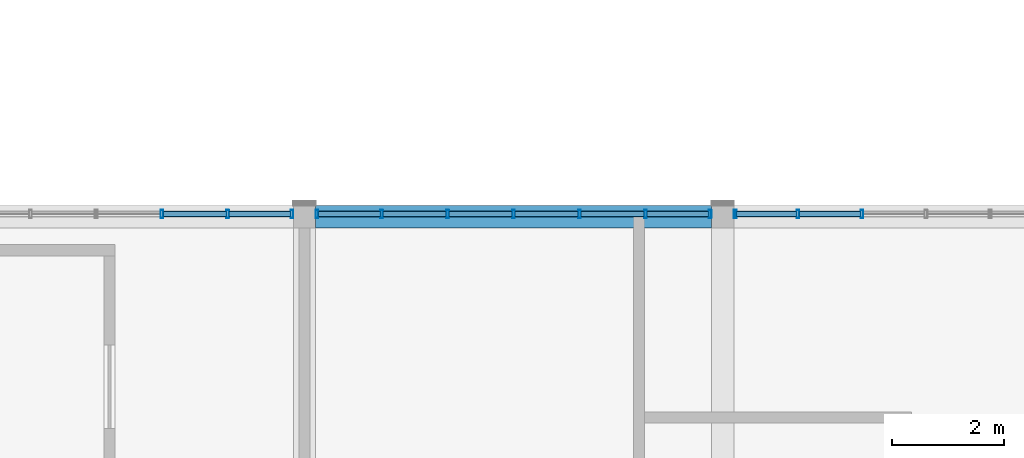
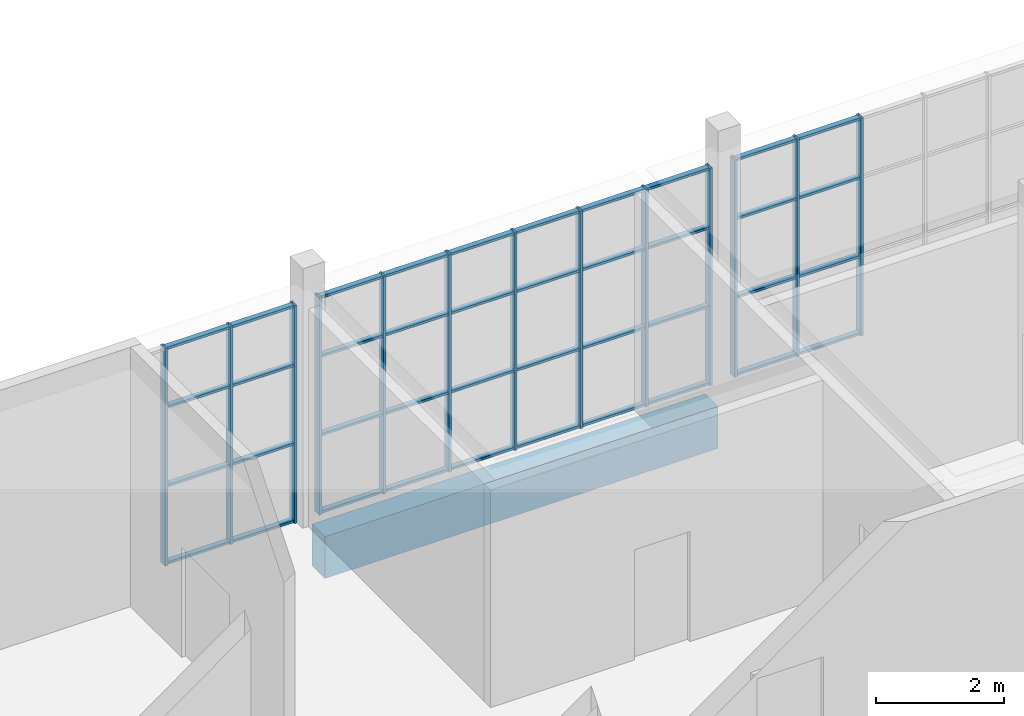
# One storey, part 26 of 125: 53 members, 1 beam, 3 elements without a shape of their own.
"""IFC4 building model written with IfcOpenShell, lengths in metres."""

from ifc_helpers import new_model, si_unit, direction, frame, origin, origin_2d, place, context, subcontext, project, spatial, rectangle, hollow_rectangle, extrude, material, material_profile, profile_set, type_object, element, aggregate, save


model = new_model("IFC4")

# Units and contexts
model_context = context("Model", 3, precision=1e-05, world=origin(), true_north=direction((0.0, 1.0)))
body_context = subcontext(model_context, "Body", "Model", "MODEL_VIEW")
ifc_project = project(units=[si_unit("LENGTHUNIT", "METRE"), si_unit("AREAUNIT", "SQUARE_METRE"), si_unit("VOLUMEUNIT", "CUBIC_METRE"), si_unit("PLANEANGLEUNIT", "RADIAN"), si_unit("MASSUNIT", "GRAM", prefix="KILO")], contexts=[model_context])

# Site, building, storey
site_placement = place(None, origin())
site = spatial("IfcSite", under=ifc_project, at=site_placement, CompositionType="ELEMENT")
building_placement = place(site_placement, origin())
building = spatial("IfcBuilding", under=site, at=building_placement, Name="Sun Court Science Centre", CompositionType="ELEMENT")
storey_placement = place(building_placement, frame((0.0, 0.0, 6.0)))
storey = spatial("IfcBuildingStorey", under=building, at=storey_placement, Name="L01", CompositionType="ELEMENT", Elevation=6.0)

# Curtain wall, members
ifc_material_1 = material(Name="Aluminium EN AW-6063 T6", Category="aluminium")
curtain_wall_type = type_object("IfcCurtainWallType", Name="Pavilion curtain wall 1200", PredefinedType="NOTDEFINED", material=ifc_material_1)
curtain_wall_1_placement = place(storey_placement, origin())
curtain_wall_1 = element("IfcCurtainWall", 1, at=curtain_wall_1_placement, inside=storey, type_object=curtain_wall_type, Name="Curtain wall V5 N L01 01", PredefinedType="NOTDEFINED")
ifc_material_2 = material(Name="Aluminium EN AW-6063 T6", Category="aluminium")
ifc_material_profile_1 = material_profile(ifc_material_2, hollow_rectangle(XDim=0.050048828125, YDim=0.14990234375, WallThickness=0.00390625, InnerFilletRadius=0.00390625, OuterFilletRadius=0.006103515625, at=origin_2d()), Name="AL 50x150x4")
ifc_profile_set_1 = profile_set([ifc_material_profile_1], Name="Aluminium EN AW-6063 T6")
member_type_1 = type_object("IfcMemberType", Name="Curtain wall mullion AL 50x150", PredefinedType="MULLION", material=ifc_profile_set_1)
member_1_placement = place(storey_placement, frame((48.44287109375, 49.85009765625, 0.0), z_axis=(0.0, 0.0, 1.0), x_axis=(1.0, 0.0, 0.0)))
member_1 = element("IfcMember", 2, at=member_1_placement, type_object=member_type_1, Name="CW3-14 mullion 6", PredefinedType="MULLION", context=body_context, shape_type="SweptSolid", body=[
    extrude(hollow_rectangle(XDim=0.050048828125, YDim=0.14990234375, WallThickness=0.00390625, InnerFilletRadius=0.00390625, OuterFilletRadius=0.006103515625, at=origin_2d()), origin(), (0.0, 0.0, 1.0), 4.14990234375),
])
member_2_placement = place(storey_placement, frame((49.621337890625, 49.85009765625, 0.0), z_axis=(0.0, 0.0, 1.0), x_axis=(1.0, 0.0, 0.0)))
member_2 = element("IfcMember", 3, at=member_2_placement, type_object=member_type_1, Name="CW3-14 mullion 7", PredefinedType="MULLION", context=body_context, shape_type="SweptSolid", body=[
    extrude(hollow_rectangle(XDim=0.050048828125, YDim=0.14990234375, WallThickness=0.00390625, InnerFilletRadius=0.00390625, OuterFilletRadius=0.006103515625, at=origin_2d()), origin(), (0.0, 0.0, 1.0), 4.14990234375),
])
member_3_placement = place(storey_placement, frame((50.77490234375, 49.85009765625, 0.0), z_axis=(0.0, 0.0, 1.0), x_axis=(1.0, 0.0, 0.0)))
member_3 = element("IfcMember", 4, at=member_3_placement, type_object=member_type_1, Name="CW3-14 mullion 8", PredefinedType="MULLION", context=body_context, shape_type="SweptSolid", body=[
    extrude(hollow_rectangle(XDim=0.050048828125, YDim=0.14990234375, WallThickness=0.00390625, InnerFilletRadius=0.00390625, OuterFilletRadius=0.006103515625, at=origin_2d()), origin(), (0.0, 0.0, 1.0), 4.14990234375),
])

curtain_wall_2_placement = place(storey_placement, origin())
curtain_wall_2 = element("IfcCurtainWall", 5, at=curtain_wall_2_placement, inside=storey, type_object=curtain_wall_type, Name="Curtain wall V5 N L01 02", PredefinedType="NOTDEFINED")
member_4_placement = place(storey_placement, frame((51.22509765625, 49.85009765625, 0.0), z_axis=(0.0, 0.0, 1.0), x_axis=(1.0, 0.0, 0.0)))
member_4 = element("IfcMember", 6, at=member_4_placement, type_object=member_type_1, Name="CW3-15 mullion 1", PredefinedType="MULLION", context=body_context, shape_type="SweptSolid", body=[
    extrude(hollow_rectangle(XDim=0.050048828125, YDim=0.14990234375, WallThickness=0.00390625, InnerFilletRadius=0.00390625, OuterFilletRadius=0.006103515625, at=origin_2d()), origin(), (0.0, 0.0, 1.0), 4.14990234375),
])
member_5_placement = place(storey_placement, frame((52.38330078125, 49.85009765625, 0.0), z_axis=(0.0, 0.0, 1.0), x_axis=(1.0, 0.0, 0.0)))
member_5 = element("IfcMember", 7, at=member_5_placement, type_object=member_type_1, Name="CW3-15 mullion 2", PredefinedType="MULLION", context=body_context, shape_type="SweptSolid", body=[
    extrude(hollow_rectangle(XDim=0.050048828125, YDim=0.14990234375, WallThickness=0.00390625, InnerFilletRadius=0.00390625, OuterFilletRadius=0.006103515625, at=origin_2d()), origin(), (0.0, 0.0, 1.0), 4.14990234375),
])
member_6_placement = place(storey_placement, frame((53.566650390625, 49.85009765625, 0.0), z_axis=(0.0, 0.0, 1.0), x_axis=(1.0, 0.0, 0.0)))
member_6 = element("IfcMember", 8, at=member_6_placement, type_object=member_type_1, Name="CW3-15 mullion 3", PredefinedType="MULLION", context=body_context, shape_type="SweptSolid", body=[
    extrude(hollow_rectangle(XDim=0.050048828125, YDim=0.14990234375, WallThickness=0.00390625, InnerFilletRadius=0.00390625, OuterFilletRadius=0.006103515625, at=origin_2d()), origin(), (0.0, 0.0, 1.0), 4.14990234375),
])
member_7_placement = place(storey_placement, frame((54.75, 49.85009765625, 0.0), z_axis=(0.0, 0.0, 1.0), x_axis=(1.0, 0.0, 0.0)))
member_7 = element("IfcMember", 9, at=member_7_placement, type_object=member_type_1, Name="CW3-15 mullion 4", PredefinedType="MULLION", context=body_context, shape_type="SweptSolid", body=[
    extrude(hollow_rectangle(XDim=0.050048828125, YDim=0.14990234375, WallThickness=0.00390625, InnerFilletRadius=0.00390625, OuterFilletRadius=0.006103515625, at=origin_2d()), origin(), (0.0, 0.0, 1.0), 4.14990234375),
])
member_8_placement = place(storey_placement, frame((55.933349609375, 49.85009765625, 0.0), z_axis=(0.0, 0.0, 1.0), x_axis=(1.0, 0.0, 0.0)))
member_8 = element("IfcMember", 10, at=member_8_placement, type_object=member_type_1, Name="CW3-15 mullion 5", PredefinedType="MULLION", context=body_context, shape_type="SweptSolid", body=[
    extrude(hollow_rectangle(XDim=0.050048828125, YDim=0.14990234375, WallThickness=0.00390625, InnerFilletRadius=0.00390625, OuterFilletRadius=0.006103515625, at=origin_2d()), origin(), (0.0, 0.0, 1.0), 4.14990234375),
])
member_9_placement = place(storey_placement, frame((57.11669921875, 49.85009765625, 0.0), z_axis=(0.0, 0.0, 1.0), x_axis=(1.0, 0.0, 0.0)))
member_9 = element("IfcMember", 11, at=member_9_placement, type_object=member_type_1, Name="CW3-15 mullion 6", PredefinedType="MULLION", context=body_context, shape_type="SweptSolid", body=[
    extrude(hollow_rectangle(XDim=0.050048828125, YDim=0.14990234375, WallThickness=0.00390625, InnerFilletRadius=0.00390625, OuterFilletRadius=0.006103515625, at=origin_2d()), origin(), (0.0, 0.0, 1.0), 4.14990234375),
])
member_10_placement = place(storey_placement, frame((58.27490234375, 49.85009765625, 0.0), z_axis=(0.0, 0.0, 1.0), x_axis=(1.0, 0.0, 0.0)))
member_10 = element("IfcMember", 12, at=member_10_placement, type_object=member_type_1, Name="CW3-15 mullion 7", PredefinedType="MULLION", context=body_context, shape_type="SweptSolid", body=[
    extrude(hollow_rectangle(XDim=0.050048828125, YDim=0.14990234375, WallThickness=0.00390625, InnerFilletRadius=0.00390625, OuterFilletRadius=0.006103515625, at=origin_2d()), origin(), (0.0, 0.0, 1.0), 4.14990234375),
])

curtain_wall_3_placement = place(storey_placement, origin())
curtain_wall_3 = element("IfcCurtainWall", 13, at=curtain_wall_3_placement, inside=storey, type_object=curtain_wall_type, Name="Curtain wall V5 N L01 03", PredefinedType="NOTDEFINED")
member_11_placement = place(storey_placement, frame((58.72509765625, 49.85009765625, 0.0), z_axis=(0.0, 0.0, 1.0), x_axis=(1.0, 0.0, 0.0)))
member_11 = element("IfcMember", 14, at=member_11_placement, type_object=member_type_1, Name="CW3-16 mullion 1", PredefinedType="MULLION", context=body_context, shape_type="SweptSolid", body=[
    extrude(hollow_rectangle(XDim=0.050048828125, YDim=0.14990234375, WallThickness=0.00390625, InnerFilletRadius=0.00390625, OuterFilletRadius=0.006103515625, at=origin_2d()), origin(), (0.0, 0.0, 1.0), 4.14990234375),
])
member_12_placement = place(storey_placement, frame((59.85009765625, 49.85009765625, 0.0), z_axis=(0.0, 0.0, 1.0), x_axis=(1.0, 0.0, 0.0)))
member_12 = element("IfcMember", 15, at=member_12_placement, type_object=member_type_1, Name="CW3-16 mullion 2", PredefinedType="MULLION", context=body_context, shape_type="SweptSolid", body=[
    extrude(hollow_rectangle(XDim=0.050048828125, YDim=0.14990234375, WallThickness=0.00390625, InnerFilletRadius=0.00390625, OuterFilletRadius=0.006103515625, at=origin_2d()), origin(), (0.0, 0.0, 1.0), 4.14990234375),
])
member_13_placement = place(storey_placement, frame((61.0, 49.85009765625, 0.0), z_axis=(0.0, 0.0, 1.0), x_axis=(1.0, 0.0, 0.0)))
member_13 = element("IfcMember", 16, at=member_13_placement, type_object=member_type_1, Name="CW3-16 mullion 3", PredefinedType="MULLION", context=body_context, shape_type="SweptSolid", body=[
    extrude(hollow_rectangle(XDim=0.050048828125, YDim=0.14990234375, WallThickness=0.00390625, InnerFilletRadius=0.00390625, OuterFilletRadius=0.006103515625, at=origin_2d()), origin(), (0.0, 0.0, 1.0), 4.14990234375),
])

# Member
ifc_material_3 = material(Name="Aluminium EN AW-6063 T6", Category="aluminium")
ifc_material_profile_2 = material_profile(ifc_material_3, hollow_rectangle(XDim=0.050048828125, YDim=0.10009765625, WallThickness=0.00390625, InnerFilletRadius=0.00390625, OuterFilletRadius=0.006103515625, at=origin_2d()), Name="AL 50x100x4")
ifc_profile_set_2 = profile_set([ifc_material_profile_2], Name="Aluminium EN AW-6063 T6")
member_type_2 = type_object("IfcMemberType", Name="Curtain wall transom AL 50x100", PredefinedType="USERDEFINED", material=ifc_profile_set_2)
member_14_placement = place(storey_placement, frame((48.4677734375, 49.85009765625, 0.02490234375), z_axis=(1.0, 0.0, 0.0), x_axis=(0.0, 0.0, 1.0)))
member_14 = element("IfcMember", 17, at=member_14_placement, type_object=member_type_2, Name="CW3-14 transom 6.1", ObjectType="TRANSOM", PredefinedType="USERDEFINED", context=body_context, shape_type="SweptSolid", body=[
    extrude(hollow_rectangle(XDim=0.050048828125, YDim=0.10009765625, WallThickness=0.00390625, InnerFilletRadius=0.00390625, OuterFilletRadius=0.006103515625, at=origin_2d()), origin(), (0.0, 0.0, 1.0), 1.128662109375),
])

member_15_placement = place(storey_placement, frame((49.646484375, 49.85009765625, 0.02490234375), z_axis=(1.0, 0.0, 0.0), x_axis=(0.0, 0.0, 1.0)))
member_15 = element("IfcMember", 18, at=member_15_placement, type_object=member_type_2, Name="CW3-14 transom 7.1", ObjectType="TRANSOM", PredefinedType="USERDEFINED", context=body_context, shape_type="SweptSolid", body=[
    extrude(hollow_rectangle(XDim=0.050048828125, YDim=0.10009765625, WallThickness=0.00390625, InnerFilletRadius=0.00390625, OuterFilletRadius=0.006103515625, at=origin_2d()), origin(), (0.0, 0.0, 1.0), 1.103515625),
])

member_16_placement = place(storey_placement, frame((48.4677734375, 49.85009765625, 1.5), z_axis=(1.0, 0.0, 0.0), x_axis=(0.0, 0.0, 1.0)))
member_16 = element("IfcMember", 19, at=member_16_placement, type_object=member_type_2, Name="CW3-14 transom 6.2", ObjectType="TRANSOM", PredefinedType="USERDEFINED", context=body_context, shape_type="SweptSolid", body=[
    extrude(hollow_rectangle(XDim=0.050048828125, YDim=0.10009765625, WallThickness=0.00390625, InnerFilletRadius=0.00390625, OuterFilletRadius=0.006103515625, at=origin_2d()), origin(), (0.0, 0.0, 1.0), 1.128662109375),
])

member_17_placement = place(storey_placement, frame((49.646484375, 49.85009765625, 1.5), z_axis=(1.0, 0.0, 0.0), x_axis=(0.0, 0.0, 1.0)))
member_17 = element("IfcMember", 20, at=member_17_placement, type_object=member_type_2, Name="CW3-14 transom 7.2", ObjectType="TRANSOM", PredefinedType="USERDEFINED", context=body_context, shape_type="SweptSolid", body=[
    extrude(hollow_rectangle(XDim=0.050048828125, YDim=0.10009765625, WallThickness=0.00390625, InnerFilletRadius=0.00390625, OuterFilletRadius=0.006103515625, at=origin_2d()), origin(), (0.0, 0.0, 1.0), 1.103515625),
])

member_18_placement = place(storey_placement, frame((48.4677734375, 49.85009765625, 3.0), z_axis=(1.0, 0.0, 0.0), x_axis=(0.0, 0.0, 1.0)))
member_18 = element("IfcMember", 21, at=member_18_placement, type_object=member_type_2, Name="CW3-14 transom 6.3", ObjectType="TRANSOM", PredefinedType="USERDEFINED", context=body_context, shape_type="SweptSolid", body=[
    extrude(hollow_rectangle(XDim=0.050048828125, YDim=0.10009765625, WallThickness=0.00390625, InnerFilletRadius=0.00390625, OuterFilletRadius=0.006103515625, at=origin_2d()), origin(), (0.0, 0.0, 1.0), 1.128662109375),
])

member_19_placement = place(storey_placement, frame((49.646484375, 49.85009765625, 3.0), z_axis=(1.0, 0.0, 0.0), x_axis=(0.0, 0.0, 1.0)))
member_19 = element("IfcMember", 22, at=member_19_placement, type_object=member_type_2, Name="CW3-14 transom 7.3", ObjectType="TRANSOM", PredefinedType="USERDEFINED", context=body_context, shape_type="SweptSolid", body=[
    extrude(hollow_rectangle(XDim=0.050048828125, YDim=0.10009765625, WallThickness=0.00390625, InnerFilletRadius=0.00390625, OuterFilletRadius=0.006103515625, at=origin_2d()), origin(), (0.0, 0.0, 1.0), 1.103515625),
])

member_20_placement = place(storey_placement, frame((48.4677734375, 49.85009765625, 4.125), z_axis=(1.0, 0.0, 0.0), x_axis=(0.0, 0.0, 1.0)))
member_20 = element("IfcMember", 23, at=member_20_placement, type_object=member_type_2, Name="CW3-14 transom 6.4", ObjectType="TRANSOM", PredefinedType="USERDEFINED", context=body_context, shape_type="SweptSolid", body=[
    extrude(hollow_rectangle(XDim=0.050048828125, YDim=0.10009765625, WallThickness=0.00390625, InnerFilletRadius=0.00390625, OuterFilletRadius=0.006103515625, at=origin_2d()), origin(), (0.0, 0.0, 1.0), 1.128662109375),
])

member_21_placement = place(storey_placement, frame((49.646484375, 49.85009765625, 4.125), z_axis=(1.0, 0.0, 0.0), x_axis=(0.0, 0.0, 1.0)))
member_21 = element("IfcMember", 24, at=member_21_placement, type_object=member_type_2, Name="CW3-14 transom 7.4", ObjectType="TRANSOM", PredefinedType="USERDEFINED", context=body_context, shape_type="SweptSolid", body=[
    extrude(hollow_rectangle(XDim=0.050048828125, YDim=0.10009765625, WallThickness=0.00390625, InnerFilletRadius=0.00390625, OuterFilletRadius=0.006103515625, at=origin_2d()), origin(), (0.0, 0.0, 1.0), 1.103515625),
])

aggregate(curtain_wall_1, [member_1, member_2, member_3, member_14, member_15, member_16, member_17, member_18, member_19, member_20, member_21])

member_22_placement = place(storey_placement, frame((51.25, 49.85009765625, 0.02490234375), z_axis=(1.0, 0.0, 0.0), x_axis=(0.0, 0.0, 1.0)))
member_22 = element("IfcMember", 25, at=member_22_placement, type_object=member_type_2, Name="CW3-15 transom 1.1", ObjectType="TRANSOM", PredefinedType="USERDEFINED", context=body_context, shape_type="SweptSolid", body=[
    extrude(hollow_rectangle(XDim=0.050048828125, YDim=0.10009765625, WallThickness=0.00390625, InnerFilletRadius=0.00390625, OuterFilletRadius=0.006103515625, at=origin_2d()), origin(), (0.0, 0.0, 1.0), 1.1083984375),
])

member_23_placement = place(storey_placement, frame((52.408447265625, 49.85009765625, 0.02490234375), z_axis=(1.0, 0.0, 0.0), x_axis=(0.0, 0.0, 1.0)))
member_23 = element("IfcMember", 26, at=member_23_placement, type_object=member_type_2, Name="CW3-15 transom 2.1", ObjectType="TRANSOM", PredefinedType="USERDEFINED", context=body_context, shape_type="SweptSolid", body=[
    extrude(hollow_rectangle(XDim=0.050048828125, YDim=0.10009765625, WallThickness=0.00390625, InnerFilletRadius=0.00390625, OuterFilletRadius=0.006103515625, at=origin_2d()), origin(), (0.0, 0.0, 1.0), 1.13330078125),
])

member_24_placement = place(storey_placement, frame((53.591552734375, 49.85009765625, 0.02490234375), z_axis=(1.0, 0.0, 0.0), x_axis=(0.0, 0.0, 1.0)))
member_24 = element("IfcMember", 27, at=member_24_placement, type_object=member_type_2, Name="CW3-15 transom 3.1", ObjectType="TRANSOM", PredefinedType="USERDEFINED", context=body_context, shape_type="SweptSolid", body=[
    extrude(hollow_rectangle(XDim=0.050048828125, YDim=0.10009765625, WallThickness=0.00390625, InnerFilletRadius=0.00390625, OuterFilletRadius=0.006103515625, at=origin_2d()), origin(), (0.0, 0.0, 1.0), 1.133544921875),
])

member_25_placement = place(storey_placement, frame((54.77490234375, 49.85009765625, 0.02490234375), z_axis=(1.0, 0.0, 0.0), x_axis=(0.0, 0.0, 1.0)))
member_25 = element("IfcMember", 28, at=member_25_placement, type_object=member_type_2, Name="CW3-15 transom 4.1", ObjectType="TRANSOM", PredefinedType="USERDEFINED", context=body_context, shape_type="SweptSolid", body=[
    extrude(hollow_rectangle(XDim=0.050048828125, YDim=0.10009765625, WallThickness=0.00390625, InnerFilletRadius=0.00390625, OuterFilletRadius=0.006103515625, at=origin_2d()), origin(), (0.0, 0.0, 1.0), 1.133544921875),
])

member_26_placement = place(storey_placement, frame((55.958251953125, 49.85009765625, 0.02490234375), z_axis=(1.0, 0.0, 0.0), x_axis=(0.0, 0.0, 1.0)))
member_26 = element("IfcMember", 29, at=member_26_placement, type_object=member_type_2, Name="CW3-15 transom 5.1", ObjectType="TRANSOM", PredefinedType="USERDEFINED", context=body_context, shape_type="SweptSolid", body=[
    extrude(hollow_rectangle(XDim=0.050048828125, YDim=0.10009765625, WallThickness=0.00390625, InnerFilletRadius=0.00390625, OuterFilletRadius=0.006103515625, at=origin_2d()), origin(), (0.0, 0.0, 1.0), 1.13330078125),
])

member_27_placement = place(storey_placement, frame((57.1416015625, 49.85009765625, 0.02490234375), z_axis=(1.0, 0.0, 0.0), x_axis=(0.0, 0.0, 1.0)))
member_27 = element("IfcMember", 30, at=member_27_placement, type_object=member_type_2, Name="CW3-15 transom 6.1", ObjectType="TRANSOM", PredefinedType="USERDEFINED", context=body_context, shape_type="SweptSolid", body=[
    extrude(hollow_rectangle(XDim=0.050048828125, YDim=0.10009765625, WallThickness=0.00390625, InnerFilletRadius=0.00390625, OuterFilletRadius=0.006103515625, at=origin_2d()), origin(), (0.0, 0.0, 1.0), 1.1083984375),
])

member_28_placement = place(storey_placement, frame((51.25, 49.85009765625, 1.5), z_axis=(1.0, 0.0, 0.0), x_axis=(0.0, 0.0, 1.0)))
member_28 = element("IfcMember", 31, at=member_28_placement, type_object=member_type_2, Name="CW3-15 transom 1.2", ObjectType="TRANSOM", PredefinedType="USERDEFINED", context=body_context, shape_type="SweptSolid", body=[
    extrude(hollow_rectangle(XDim=0.050048828125, YDim=0.10009765625, WallThickness=0.00390625, InnerFilletRadius=0.00390625, OuterFilletRadius=0.006103515625, at=origin_2d()), origin(), (0.0, 0.0, 1.0), 1.1083984375),
])

member_29_placement = place(storey_placement, frame((52.408447265625, 49.85009765625, 1.5), z_axis=(1.0, 0.0, 0.0), x_axis=(0.0, 0.0, 1.0)))
member_29 = element("IfcMember", 32, at=member_29_placement, type_object=member_type_2, Name="CW3-15 transom 2.2", ObjectType="TRANSOM", PredefinedType="USERDEFINED", context=body_context, shape_type="SweptSolid", body=[
    extrude(hollow_rectangle(XDim=0.050048828125, YDim=0.10009765625, WallThickness=0.00390625, InnerFilletRadius=0.00390625, OuterFilletRadius=0.006103515625, at=origin_2d()), origin(), (0.0, 0.0, 1.0), 1.13330078125),
])

member_30_placement = place(storey_placement, frame((53.591552734375, 49.85009765625, 1.5), z_axis=(1.0, 0.0, 0.0), x_axis=(0.0, 0.0, 1.0)))
member_30 = element("IfcMember", 33, at=member_30_placement, type_object=member_type_2, Name="CW3-15 transom 3.2", ObjectType="TRANSOM", PredefinedType="USERDEFINED", context=body_context, shape_type="SweptSolid", body=[
    extrude(hollow_rectangle(XDim=0.050048828125, YDim=0.10009765625, WallThickness=0.00390625, InnerFilletRadius=0.00390625, OuterFilletRadius=0.006103515625, at=origin_2d()), origin(), (0.0, 0.0, 1.0), 1.133544921875),
])

member_31_placement = place(storey_placement, frame((54.77490234375, 49.85009765625, 1.5), z_axis=(1.0, 0.0, 0.0), x_axis=(0.0, 0.0, 1.0)))
member_31 = element("IfcMember", 34, at=member_31_placement, type_object=member_type_2, Name="CW3-15 transom 4.2", ObjectType="TRANSOM", PredefinedType="USERDEFINED", context=body_context, shape_type="SweptSolid", body=[
    extrude(hollow_rectangle(XDim=0.050048828125, YDim=0.10009765625, WallThickness=0.00390625, InnerFilletRadius=0.00390625, OuterFilletRadius=0.006103515625, at=origin_2d()), origin(), (0.0, 0.0, 1.0), 1.133544921875),
])

member_32_placement = place(storey_placement, frame((55.958251953125, 49.85009765625, 1.5), z_axis=(1.0, 0.0, 0.0), x_axis=(0.0, 0.0, 1.0)))
member_32 = element("IfcMember", 35, at=member_32_placement, type_object=member_type_2, Name="CW3-15 transom 5.2", ObjectType="TRANSOM", PredefinedType="USERDEFINED", context=body_context, shape_type="SweptSolid", body=[
    extrude(hollow_rectangle(XDim=0.050048828125, YDim=0.10009765625, WallThickness=0.00390625, InnerFilletRadius=0.00390625, OuterFilletRadius=0.006103515625, at=origin_2d()), origin(), (0.0, 0.0, 1.0), 1.13330078125),
])

member_33_placement = place(storey_placement, frame((57.1416015625, 49.85009765625, 1.5), z_axis=(1.0, 0.0, 0.0), x_axis=(0.0, 0.0, 1.0)))
member_33 = element("IfcMember", 36, at=member_33_placement, type_object=member_type_2, Name="CW3-15 transom 6.2", ObjectType="TRANSOM", PredefinedType="USERDEFINED", context=body_context, shape_type="SweptSolid", body=[
    extrude(hollow_rectangle(XDim=0.050048828125, YDim=0.10009765625, WallThickness=0.00390625, InnerFilletRadius=0.00390625, OuterFilletRadius=0.006103515625, at=origin_2d()), origin(), (0.0, 0.0, 1.0), 1.1083984375),
])

member_34_placement = place(storey_placement, frame((51.25, 49.85009765625, 3.0), z_axis=(1.0, 0.0, 0.0), x_axis=(0.0, 0.0, 1.0)))
member_34 = element("IfcMember", 37, at=member_34_placement, type_object=member_type_2, Name="CW3-15 transom 1.3", ObjectType="TRANSOM", PredefinedType="USERDEFINED", context=body_context, shape_type="SweptSolid", body=[
    extrude(hollow_rectangle(XDim=0.050048828125, YDim=0.10009765625, WallThickness=0.00390625, InnerFilletRadius=0.00390625, OuterFilletRadius=0.006103515625, at=origin_2d()), origin(), (0.0, 0.0, 1.0), 1.1083984375),
])

member_35_placement = place(storey_placement, frame((52.408447265625, 49.85009765625, 3.0), z_axis=(1.0, 0.0, 0.0), x_axis=(0.0, 0.0, 1.0)))
member_35 = element("IfcMember", 38, at=member_35_placement, type_object=member_type_2, Name="CW3-15 transom 2.3", ObjectType="TRANSOM", PredefinedType="USERDEFINED", context=body_context, shape_type="SweptSolid", body=[
    extrude(hollow_rectangle(XDim=0.050048828125, YDim=0.10009765625, WallThickness=0.00390625, InnerFilletRadius=0.00390625, OuterFilletRadius=0.006103515625, at=origin_2d()), origin(), (0.0, 0.0, 1.0), 1.13330078125),
])

member_36_placement = place(storey_placement, frame((53.591552734375, 49.85009765625, 3.0), z_axis=(1.0, 0.0, 0.0), x_axis=(0.0, 0.0, 1.0)))
member_36 = element("IfcMember", 39, at=member_36_placement, type_object=member_type_2, Name="CW3-15 transom 3.3", ObjectType="TRANSOM", PredefinedType="USERDEFINED", context=body_context, shape_type="SweptSolid", body=[
    extrude(hollow_rectangle(XDim=0.050048828125, YDim=0.10009765625, WallThickness=0.00390625, InnerFilletRadius=0.00390625, OuterFilletRadius=0.006103515625, at=origin_2d()), origin(), (0.0, 0.0, 1.0), 1.133544921875),
])

member_37_placement = place(storey_placement, frame((54.77490234375, 49.85009765625, 3.0), z_axis=(1.0, 0.0, 0.0), x_axis=(0.0, 0.0, 1.0)))
member_37 = element("IfcMember", 40, at=member_37_placement, type_object=member_type_2, Name="CW3-15 transom 4.3", ObjectType="TRANSOM", PredefinedType="USERDEFINED", context=body_context, shape_type="SweptSolid", body=[
    extrude(hollow_rectangle(XDim=0.050048828125, YDim=0.10009765625, WallThickness=0.00390625, InnerFilletRadius=0.00390625, OuterFilletRadius=0.006103515625, at=origin_2d()), origin(), (0.0, 0.0, 1.0), 1.133544921875),
])

member_38_placement = place(storey_placement, frame((55.958251953125, 49.85009765625, 3.0), z_axis=(1.0, 0.0, 0.0), x_axis=(0.0, 0.0, 1.0)))
member_38 = element("IfcMember", 41, at=member_38_placement, type_object=member_type_2, Name="CW3-15 transom 5.3", ObjectType="TRANSOM", PredefinedType="USERDEFINED", context=body_context, shape_type="SweptSolid", body=[
    extrude(hollow_rectangle(XDim=0.050048828125, YDim=0.10009765625, WallThickness=0.00390625, InnerFilletRadius=0.00390625, OuterFilletRadius=0.006103515625, at=origin_2d()), origin(), (0.0, 0.0, 1.0), 1.13330078125),
])

member_39_placement = place(storey_placement, frame((57.1416015625, 49.85009765625, 3.0), z_axis=(1.0, 0.0, 0.0), x_axis=(0.0, 0.0, 1.0)))
member_39 = element("IfcMember", 42, at=member_39_placement, type_object=member_type_2, Name="CW3-15 transom 6.3", ObjectType="TRANSOM", PredefinedType="USERDEFINED", context=body_context, shape_type="SweptSolid", body=[
    extrude(hollow_rectangle(XDim=0.050048828125, YDim=0.10009765625, WallThickness=0.00390625, InnerFilletRadius=0.00390625, OuterFilletRadius=0.006103515625, at=origin_2d()), origin(), (0.0, 0.0, 1.0), 1.1083984375),
])

member_40_placement = place(storey_placement, frame((51.25, 49.85009765625, 4.125), z_axis=(1.0, 0.0, 0.0), x_axis=(0.0, 0.0, 1.0)))
member_40 = element("IfcMember", 43, at=member_40_placement, type_object=member_type_2, Name="CW3-15 transom 1.4", ObjectType="TRANSOM", PredefinedType="USERDEFINED", context=body_context, shape_type="SweptSolid", body=[
    extrude(hollow_rectangle(XDim=0.050048828125, YDim=0.10009765625, WallThickness=0.00390625, InnerFilletRadius=0.00390625, OuterFilletRadius=0.006103515625, at=origin_2d()), origin(), (0.0, 0.0, 1.0), 1.1083984375),
])

member_41_placement = place(storey_placement, frame((52.408447265625, 49.85009765625, 4.125), z_axis=(1.0, 0.0, 0.0), x_axis=(0.0, 0.0, 1.0)))
member_41 = element("IfcMember", 44, at=member_41_placement, type_object=member_type_2, Name="CW3-15 transom 2.4", ObjectType="TRANSOM", PredefinedType="USERDEFINED", context=body_context, shape_type="SweptSolid", body=[
    extrude(hollow_rectangle(XDim=0.050048828125, YDim=0.10009765625, WallThickness=0.00390625, InnerFilletRadius=0.00390625, OuterFilletRadius=0.006103515625, at=origin_2d()), origin(), (0.0, 0.0, 1.0), 1.13330078125),
])

member_42_placement = place(storey_placement, frame((53.591552734375, 49.85009765625, 4.125), z_axis=(1.0, 0.0, 0.0), x_axis=(0.0, 0.0, 1.0)))
member_42 = element("IfcMember", 45, at=member_42_placement, type_object=member_type_2, Name="CW3-15 transom 3.4", ObjectType="TRANSOM", PredefinedType="USERDEFINED", context=body_context, shape_type="SweptSolid", body=[
    extrude(hollow_rectangle(XDim=0.050048828125, YDim=0.10009765625, WallThickness=0.00390625, InnerFilletRadius=0.00390625, OuterFilletRadius=0.006103515625, at=origin_2d()), origin(), (0.0, 0.0, 1.0), 1.133544921875),
])

member_43_placement = place(storey_placement, frame((54.77490234375, 49.85009765625, 4.125), z_axis=(1.0, 0.0, 0.0), x_axis=(0.0, 0.0, 1.0)))
member_43 = element("IfcMember", 46, at=member_43_placement, type_object=member_type_2, Name="CW3-15 transom 4.4", ObjectType="TRANSOM", PredefinedType="USERDEFINED", context=body_context, shape_type="SweptSolid", body=[
    extrude(hollow_rectangle(XDim=0.050048828125, YDim=0.10009765625, WallThickness=0.00390625, InnerFilletRadius=0.00390625, OuterFilletRadius=0.006103515625, at=origin_2d()), origin(), (0.0, 0.0, 1.0), 1.133544921875),
])

member_44_placement = place(storey_placement, frame((55.958251953125, 49.85009765625, 4.125), z_axis=(1.0, 0.0, 0.0), x_axis=(0.0, 0.0, 1.0)))
member_44 = element("IfcMember", 47, at=member_44_placement, type_object=member_type_2, Name="CW3-15 transom 5.4", ObjectType="TRANSOM", PredefinedType="USERDEFINED", context=body_context, shape_type="SweptSolid", body=[
    extrude(hollow_rectangle(XDim=0.050048828125, YDim=0.10009765625, WallThickness=0.00390625, InnerFilletRadius=0.00390625, OuterFilletRadius=0.006103515625, at=origin_2d()), origin(), (0.0, 0.0, 1.0), 1.13330078125),
])

member_45_placement = place(storey_placement, frame((57.1416015625, 49.85009765625, 4.125), z_axis=(1.0, 0.0, 0.0), x_axis=(0.0, 0.0, 1.0)))
member_45 = element("IfcMember", 48, at=member_45_placement, type_object=member_type_2, Name="CW3-15 transom 6.4", ObjectType="TRANSOM", PredefinedType="USERDEFINED", context=body_context, shape_type="SweptSolid", body=[
    extrude(hollow_rectangle(XDim=0.050048828125, YDim=0.10009765625, WallThickness=0.00390625, InnerFilletRadius=0.00390625, OuterFilletRadius=0.006103515625, at=origin_2d()), origin(), (0.0, 0.0, 1.0), 1.1083984375),
])

aggregate(curtain_wall_2, [member_4, member_5, member_6, member_7, member_8, member_9, member_10, member_22, member_23, member_24, member_25, member_26, member_27, member_28, member_29, member_30, member_31, member_32, member_33, member_34, member_35, member_36, member_37, member_38, member_39, member_40, member_41, member_42, member_43, member_44, member_45])

member_46_placement = place(storey_placement, frame((58.75, 49.85009765625, 0.02490234375), z_axis=(1.0, 0.0, 0.0), x_axis=(0.0, 0.0, 1.0)))
member_46 = element("IfcMember", 49, at=member_46_placement, type_object=member_type_2, Name="CW3-16 transom 1.1", ObjectType="TRANSOM", PredefinedType="USERDEFINED", context=body_context, shape_type="SweptSolid", body=[
    extrude(hollow_rectangle(XDim=0.050048828125, YDim=0.10009765625, WallThickness=0.00390625, InnerFilletRadius=0.00390625, OuterFilletRadius=0.006103515625, at=origin_2d()), origin(), (0.0, 0.0, 1.0), 1.074951171875),
])

member_47_placement = place(storey_placement, frame((59.875, 49.85009765625, 0.02490234375), z_axis=(1.0, 0.0, 0.0), x_axis=(0.0, 0.0, 1.0)))
member_47 = element("IfcMember", 50, at=member_47_placement, type_object=member_type_2, Name="CW3-16 transom 2.1", ObjectType="TRANSOM", PredefinedType="USERDEFINED", context=body_context, shape_type="SweptSolid", body=[
    extrude(hollow_rectangle(XDim=0.050048828125, YDim=0.10009765625, WallThickness=0.00390625, InnerFilletRadius=0.00390625, OuterFilletRadius=0.006103515625, at=origin_2d()), origin(), (0.0, 0.0, 1.0), 1.10009765625),
])

member_48_placement = place(storey_placement, frame((58.75, 49.85009765625, 1.5), z_axis=(1.0, 0.0, 0.0), x_axis=(0.0, 0.0, 1.0)))
member_48 = element("IfcMember", 51, at=member_48_placement, type_object=member_type_2, Name="CW3-16 transom 1.2", ObjectType="TRANSOM", PredefinedType="USERDEFINED", context=body_context, shape_type="SweptSolid", body=[
    extrude(hollow_rectangle(XDim=0.050048828125, YDim=0.10009765625, WallThickness=0.00390625, InnerFilletRadius=0.00390625, OuterFilletRadius=0.006103515625, at=origin_2d()), origin(), (0.0, 0.0, 1.0), 1.074951171875),
])

member_49_placement = place(storey_placement, frame((59.875, 49.85009765625, 1.5), z_axis=(1.0, 0.0, 0.0), x_axis=(0.0, 0.0, 1.0)))
member_49 = element("IfcMember", 52, at=member_49_placement, type_object=member_type_2, Name="CW3-16 transom 2.2", ObjectType="TRANSOM", PredefinedType="USERDEFINED", context=body_context, shape_type="SweptSolid", body=[
    extrude(hollow_rectangle(XDim=0.050048828125, YDim=0.10009765625, WallThickness=0.00390625, InnerFilletRadius=0.00390625, OuterFilletRadius=0.006103515625, at=origin_2d()), origin(), (0.0, 0.0, 1.0), 1.10009765625),
])

member_50_placement = place(storey_placement, frame((58.75, 49.85009765625, 3.0), z_axis=(1.0, 0.0, 0.0), x_axis=(0.0, 0.0, 1.0)))
member_50 = element("IfcMember", 53, at=member_50_placement, type_object=member_type_2, Name="CW3-16 transom 1.3", ObjectType="TRANSOM", PredefinedType="USERDEFINED", context=body_context, shape_type="SweptSolid", body=[
    extrude(hollow_rectangle(XDim=0.050048828125, YDim=0.10009765625, WallThickness=0.00390625, InnerFilletRadius=0.00390625, OuterFilletRadius=0.006103515625, at=origin_2d()), origin(), (0.0, 0.0, 1.0), 1.074951171875),
])

member_51_placement = place(storey_placement, frame((59.875, 49.85009765625, 3.0), z_axis=(1.0, 0.0, 0.0), x_axis=(0.0, 0.0, 1.0)))
member_51 = element("IfcMember", 54, at=member_51_placement, type_object=member_type_2, Name="CW3-16 transom 2.3", ObjectType="TRANSOM", PredefinedType="USERDEFINED", context=body_context, shape_type="SweptSolid", body=[
    extrude(hollow_rectangle(XDim=0.050048828125, YDim=0.10009765625, WallThickness=0.00390625, InnerFilletRadius=0.00390625, OuterFilletRadius=0.006103515625, at=origin_2d()), origin(), (0.0, 0.0, 1.0), 1.10009765625),
])

member_52_placement = place(storey_placement, frame((58.75, 49.85009765625, 4.125), z_axis=(1.0, 0.0, 0.0), x_axis=(0.0, 0.0, 1.0)))
member_52 = element("IfcMember", 55, at=member_52_placement, type_object=member_type_2, Name="CW3-16 transom 1.4", ObjectType="TRANSOM", PredefinedType="USERDEFINED", context=body_context, shape_type="SweptSolid", body=[
    extrude(hollow_rectangle(XDim=0.050048828125, YDim=0.10009765625, WallThickness=0.00390625, InnerFilletRadius=0.00390625, OuterFilletRadius=0.006103515625, at=origin_2d()), origin(), (0.0, 0.0, 1.0), 1.074951171875),
])

member_53_placement = place(storey_placement, frame((59.875, 49.85009765625, 4.125), z_axis=(1.0, 0.0, 0.0), x_axis=(0.0, 0.0, 1.0)))
member_53 = element("IfcMember", 56, at=member_53_placement, type_object=member_type_2, Name="CW3-16 transom 2.4", ObjectType="TRANSOM", PredefinedType="USERDEFINED", context=body_context, shape_type="SweptSolid", body=[
    extrude(hollow_rectangle(XDim=0.050048828125, YDim=0.10009765625, WallThickness=0.00390625, InnerFilletRadius=0.00390625, OuterFilletRadius=0.006103515625, at=origin_2d()), origin(), (0.0, 0.0, 1.0), 1.10009765625),
])

aggregate(curtain_wall_3, [member_11, member_12, member_13, member_46, member_47, member_48, member_49, member_50, member_51, member_52, member_53])

# Beam
ifc_material_4 = material(Name="Concrete C25/30", Category="concrete")
ifc_material_profile_3 = material_profile(ifc_material_4, rectangle(XDim=0.39990234375, YDim=0.800048828125, at=origin_2d()), Name="RC 400x800")
ifc_profile_set_3 = profile_set([ifc_material_profile_3], Name="Concrete C25/30")
beam_type = type_object("IfcBeamType", Name="RC girder 400x800", PredefinedType="BEAM", material=ifc_profile_set_3)
beam_placement = place(storey_placement, frame((51.199951171875, 49.800048828125, -0.699951171875), z_axis=(1.0, 0.0, 0.0), x_axis=(0.0, 1.0, 0.0)))
element("IfcBeam", 57, at=beam_placement, inside=storey, type_object=beam_type, Name="Girder L01 row 2", PredefinedType="BEAM", context=body_context, shape_type="SweptSolid", body=[
    extrude(rectangle(XDim=0.39990234375, YDim=0.800048828125, at=origin_2d()), origin(), (0.0, 0.0, 1.0), 7.10009765625),
])

save(model, "model.ifc")
